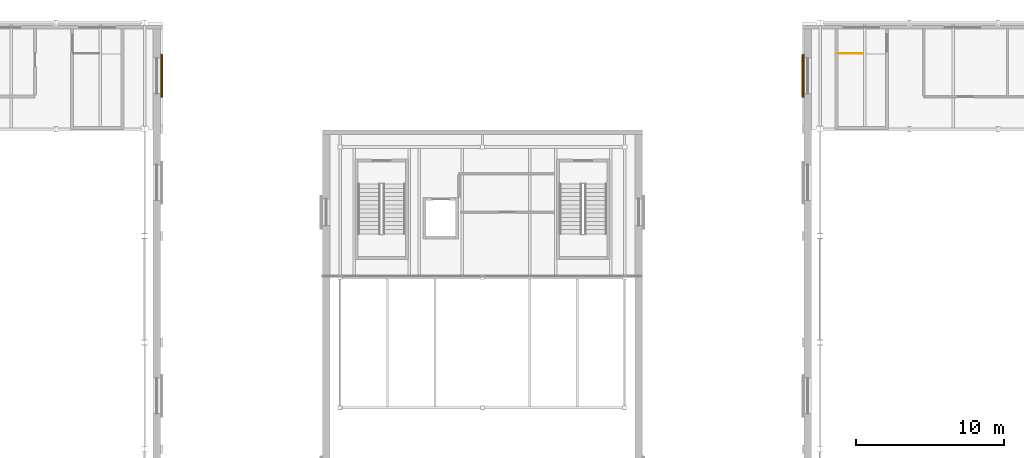
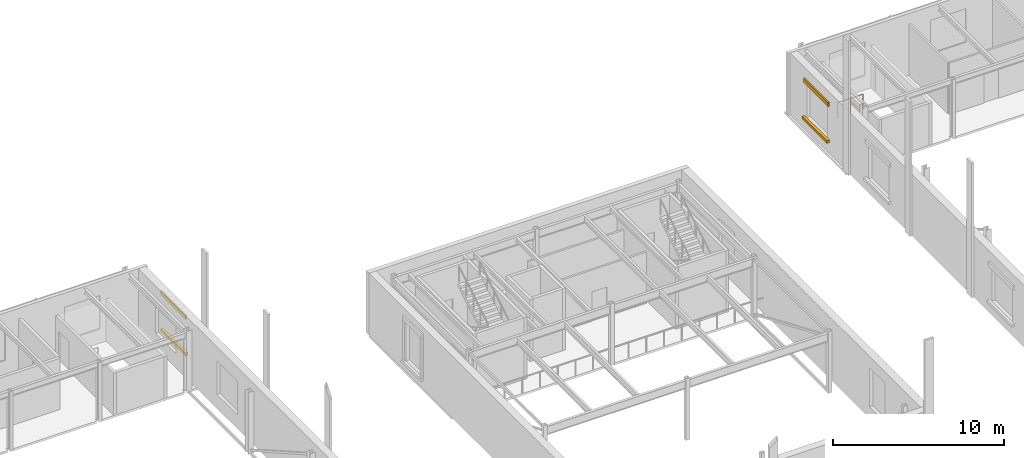
# One storey, part 165 of 169: 4 coverings, 1 railing.
"""IFC4 building model written with IfcOpenShell, lengths in metres."""

from ifc_helpers import new_model, si_unit, direction, frame, origin, origin_2d, place, context, subcontext, project, spatial, rectangle, circle, extrude, material, layer, layer_set, type_object, element, save


model = new_model("IFC4")

# Units and contexts
model_context = context("Model", 3, precision=1e-05, world=origin(), true_north=direction((0.0, 1.0)))
body_context = subcontext(model_context, "Body", "Model", "MODEL_VIEW")
ifc_project = project(units=[si_unit("LENGTHUNIT", "METRE"), si_unit("AREAUNIT", "SQUARE_METRE"), si_unit("VOLUMEUNIT", "CUBIC_METRE"), si_unit("PLANEANGLEUNIT", "RADIAN"), si_unit("MASSUNIT", "GRAM", prefix="KILO")], contexts=[model_context])

# Site, building, storey
site_placement = place(None, origin())
site = spatial("IfcSite", under=ifc_project, at=site_placement, CompositionType="ELEMENT")
building_placement = place(site_placement, origin())
building = spatial("IfcBuilding", under=site, at=building_placement, Name="Verrick Yard Athletic Hall", CompositionType="ELEMENT")
storey_placement = place(building_placement, frame((0.0, 0.0, 4.39990234375)))
storey = spatial("IfcBuildingStorey", under=building, at=storey_placement, Name="L01", CompositionType="ELEMENT", Elevation=4.39990234375)

# Railing
ifc_material_1 = material(Name="Stainless steel", Category="steel")
railing_type = type_object("IfcRailingType", Name="Stair and core guard 1100", PredefinedType="GUARDRAIL", material=ifc_material_1)
railing_placement = place(storey_placement, frame((122.800048828125, 105.925048828125, 0.0)))
element("IfcRailing", 1, at=railing_placement, inside=storey, type_object=railing_type, Name="L01 Sports Hall A west band top well guard 1", PredefinedType="GUARDRAIL", context=body_context, shape_type="SweptSolid", body=[
    extrude(circle(Radius=0.02392578125, at=origin_2d()), frame((0.0, 0.0, 1.076171875), z_axis=(1.0, 0.0, 0.0), x_axis=(0.0, 1.0, 0.0)), (0.0, 0.0, 1.0), 1.699951171875),
    extrude(circle(Radius=0.02099609375, at=origin_2d()), origin(), (0.0, 0.0, 1.0), 1.052001953125),
    extrude(circle(Radius=0.02099609375, at=origin_2d()), frame((0.85009765625, 0.0, 0.0)), (0.0, 0.0, 1.0), 1.052001953125),
    extrude(circle(Radius=0.02099609375, at=origin_2d()), frame((1.699951171875, 0.0, 0.0)), (0.0, 0.0, 1.0), 1.052001953125),
])

# Coverings
ifc_material_2 = material(Name="Tyndall-stone-look precast cladding", Category="masonry")
ifc_layer = layer(ifc_material_2, 0.25)
ifc_layer_set = layer_set([ifc_layer], Name="Stone moulding")
covering_type = type_object("IfcCoveringType", Name="Stone moulding", PredefinedType="MOLDING", material=ifc_layer_set)
covering_1_placement = place(storey_placement, frame((120.43505859375, 104.40087890625, 0.80029296875), z_axis=(0.0, 0.0, 1.0), x_axis=(0.0, 1.0, 0.0)))
element("IfcCovering", 2, at=covering_1_placement, inside=storey, type_object=covering_type, Name="Window sill", PredefinedType="MOLDING", context=body_context, shape_type="SweptSolid", body=[
    extrude(rectangle(XDim=2.89990234375, YDim=0.179931640625, at=origin_2d()), origin(), (0.0, 0.0, 1.0), 0.199951171875),
])
covering_2_placement = place(storey_placement, frame((120.47509765625, 104.40087890625, 3.39990234375), z_axis=(0.0, 0.0, 1.0), x_axis=(0.0, 1.0, 0.0)))
element("IfcCovering", 3, at=covering_2_placement, inside=storey, type_object=covering_type, Name="Window head", PredefinedType="MOLDING", context=body_context, shape_type="SweptSolid", body=[
    extrude(rectangle(XDim=2.89990234375, YDim=0.10009765625, at=origin_2d()), origin(), (0.0, 0.0, 1.0), 0.300048828125),
])
covering_3_placement = place(storey_placement, frame((77.1650390625, 104.40087890625, 0.80029296875), z_axis=(0.0, 0.0, 1.0), x_axis=(0.0, 1.0, 0.0)))
element("IfcCovering", 4, at=covering_3_placement, inside=storey, type_object=covering_type, Name="Window sill", PredefinedType="MOLDING", context=body_context, shape_type="SweptSolid", body=[
    extrude(rectangle(XDim=2.89990234375, YDim=0.179931640625, at=origin_2d()), origin(), (0.0, 0.0, 1.0), 0.199951171875),
])
covering_4_placement = place(storey_placement, frame((77.125, 104.40087890625, 3.39990234375), z_axis=(0.0, 0.0, 1.0), x_axis=(0.0, 1.0, 0.0)))
element("IfcCovering", 5, at=covering_4_placement, inside=storey, type_object=covering_type, Name="Window head", PredefinedType="MOLDING", context=body_context, shape_type="SweptSolid", body=[
    extrude(rectangle(XDim=2.89990234375, YDim=0.10009765625, at=origin_2d()), origin(), (0.0, 0.0, 1.0), 0.300048828125),
])

save(model, "model.ifc")
